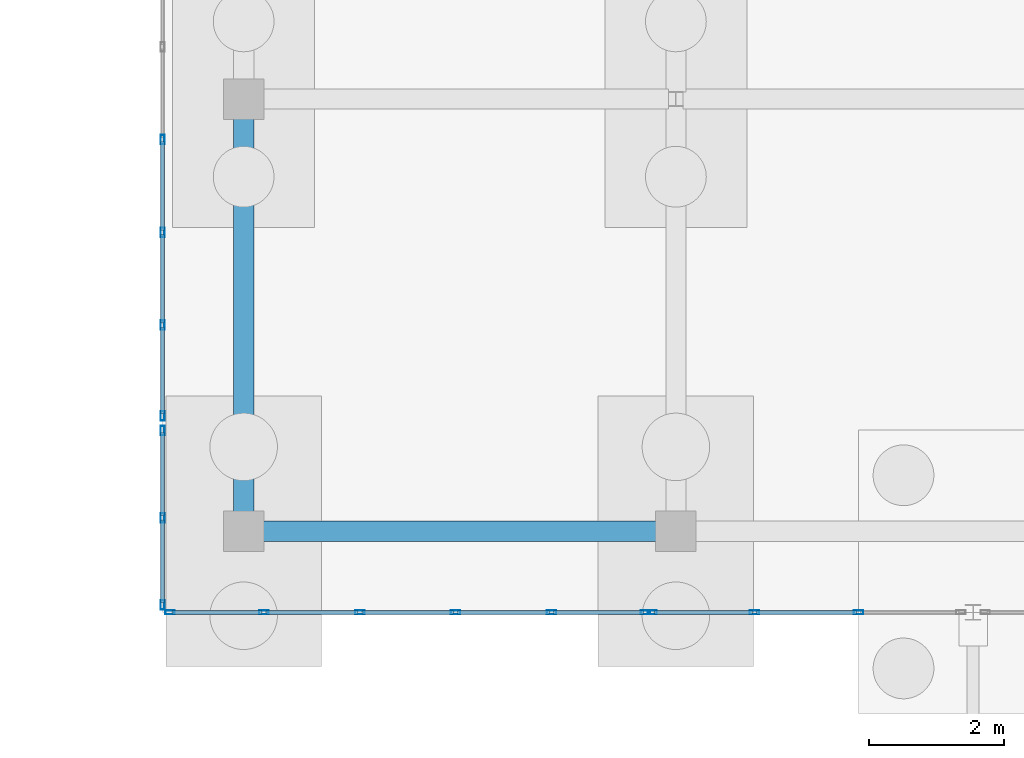
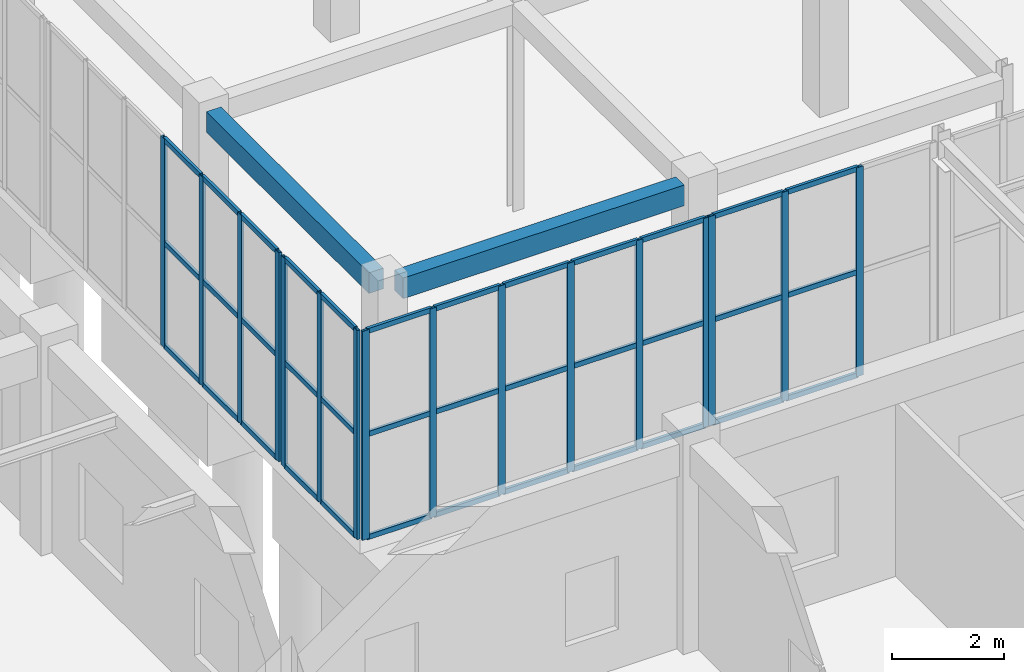
# One storey, part 50 of 192: 52 members, 2 beams, 4 elements without a shape of their own.
"""IFC4 building model written with IfcOpenShell, lengths in metres."""

from ifc_helpers import new_model, si_unit, direction, frame, origin, origin_2d, place, context, subcontext, project, spatial, rectangle, hollow_rectangle, extrude, material, layer, layer_set, material_profile, profile_set, type_object, element, aggregate, save


model = new_model("IFC4")

# Units and contexts
model_context = context("Model", 3, precision=1e-05, world=origin(), true_north=direction((0.0, 1.0)))
body_context = subcontext(model_context, "Body", "Model", "MODEL_VIEW")
ifc_project = project(units=[si_unit("LENGTHUNIT", "METRE"), si_unit("AREAUNIT", "SQUARE_METRE"), si_unit("VOLUMEUNIT", "CUBIC_METRE"), si_unit("PLANEANGLEUNIT", "RADIAN"), si_unit("MASSUNIT", "GRAM", prefix="KILO")], contexts=[model_context])

# Site, building, storey
site_placement = place(None, origin())
site = spatial("IfcSite", under=ifc_project, at=site_placement, CompositionType="ELEMENT")
building_placement = place(site_placement, origin())
building = spatial("IfcBuilding", under=site, at=building_placement, Name="Trelvath General Hospital", CompositionType="ELEMENT")
storey_placement = place(building_placement, origin())
storey = spatial("IfcBuildingStorey", under=building, at=storey_placement, Name="L00", CompositionType="ELEMENT", Elevation=0.0)

# Beams
ifc_material_1 = material(Name="Concrete C35/45", Category="concrete")
ifc_material_profile_1 = material_profile(ifc_material_1, rectangle(XDim=0.300048828125, YDim=0.449951171875, at=origin_2d()), Name="RCB300x450")
ifc_profile_set_1 = profile_set([ifc_material_profile_1], Name="Concrete C35/45")
beam_type = type_object("IfcBeamType", Name="Beam RC300x450", PredefinedType="BEAM", material=ifc_profile_set_1)
for number, where, z_axis, x_axis, name in (
    (1, (48.2958984375, 32.0, 4.3349609375), (1.0, 0.0, 0.0), (0.0, 1.0, 0.0), "Cube Interior Ring Beam CUBE-W-T0 L00"),
    (2, (48.0, 32.2958984375, 4.3349609375), (0.0, 1.0, 0.0), (-1.0, 0.0, 0.0), "Cube Interior Ring Beam CUBE-W-T0 L00"),
):
    element("IfcBeam", number, at=place(storey_placement, frame(where, z_axis=z_axis, x_axis=x_axis)), inside=storey, type_object=beam_type, Name=name, PredefinedType="BEAM", context=body_context, shape_type="SweptSolid", body=[
        extrude(rectangle(XDim=0.300048828125, YDim=0.449951171875, at=origin_2d()), origin(), (0.0, 0.0, 1.0), 5.80810546875),
    ])

# Curtain wall, members
ifc_material_2 = material(Name="Anodised aluminium and low-E glass", Category="aluminium")
ifc_layer_1 = layer(ifc_material_2, 0.139892578125)
ifc_layer_set_1 = layer_set([ifc_layer_1], Name="Anodised aluminium and low-E glass")
curtain_wall_type_1 = type_object("IfcCurtainWallType", Name="CW CrystalCube 710 456 14", PredefinedType="USERDEFINED", material=ifc_layer_set_1)
curtain_wall_1_placement = place(storey_placement, origin())
curtain_wall_1 = element("IfcCurtainWall", 3, at=curtain_wall_1_placement, inside=storey, type_object=curtain_wall_type_1, Name="Crystal Cube Curtain Wall CUBE-W-T0 S1 L00", ObjectType="Unitised Glazed Curtain Wall", PredefinedType="USERDEFINED")
ifc_material_3 = material(Name="Anodised aluminium", Category="aluminium")
ifc_material_profile_2 = material_profile(ifc_material_3, hollow_rectangle(XDim=0.06005859375, YDim=0.139892578125, WallThickness=0.00390625, at=origin_2d()), Name="RHS60x140x4")
ifc_profile_set_2 = profile_set([ifc_material_profile_2], Name="Anodised aluminium")
member_type_1 = type_object("IfcMemberType", Name="CurtainMullion 60x140", PredefinedType="MULLION", material=ifc_profile_set_2)
member_1_placement = place(storey_placement, frame((53.949951171875, 30.800048828125, 0.0), z_axis=(0.0, 0.0, 1.0), x_axis=(0.0, -1.0, 0.0)))
member_1 = element("IfcMember", 4, at=member_1_placement, type_object=member_type_1, Name="CW-084 mullion 1", PredefinedType="MULLION", context=body_context, shape_type="SweptSolid", body=[
    extrude(hollow_rectangle(XDim=0.06005859375, YDim=0.139892578125, WallThickness=0.00390625, at=origin_2d()), origin(), (0.0, 0.0, 1.0), 4.56005859375),
])
member_2_placement = place(storey_placement, frame((52.56005859375, 30.800048828125, 0.0), z_axis=(0.0, 0.0, 1.0), x_axis=(0.0, -1.0, 0.0)))
member_2 = element("IfcMember", 5, at=member_2_placement, type_object=member_type_1, Name="CW-084 mullion 2", PredefinedType="MULLION", context=body_context, shape_type="SweptSolid", body=[
    extrude(hollow_rectangle(XDim=0.06005859375, YDim=0.139892578125, WallThickness=0.00390625, at=origin_2d()), origin(), (0.0, 0.0, 1.0), 4.56005859375),
])
member_3_placement = place(storey_placement, frame((51.139892578125, 30.800048828125, 0.0), z_axis=(0.0, 0.0, 1.0), x_axis=(0.0, -1.0, 0.0)))
member_3 = element("IfcMember", 6, at=member_3_placement, type_object=member_type_1, Name="CW-084 mullion 3", PredefinedType="MULLION", context=body_context, shape_type="SweptSolid", body=[
    extrude(hollow_rectangle(XDim=0.06005859375, YDim=0.139892578125, WallThickness=0.00390625, at=origin_2d()), origin(), (0.0, 0.0, 1.0), 4.56005859375),
])
member_4_placement = place(storey_placement, frame((49.719970703125, 30.800048828125, 0.0), z_axis=(0.0, 0.0, 1.0), x_axis=(0.0, -1.0, 0.0)))
member_4 = element("IfcMember", 7, at=member_4_placement, type_object=member_type_1, Name="CW-084 mullion 4", PredefinedType="MULLION", context=body_context, shape_type="SweptSolid", body=[
    extrude(hollow_rectangle(XDim=0.06005859375, YDim=0.139892578125, WallThickness=0.00390625, at=origin_2d()), origin(), (0.0, 0.0, 1.0), 4.56005859375),
])
member_5_placement = place(storey_placement, frame((48.300048828125, 30.800048828125, 0.0), z_axis=(0.0, 0.0, 1.0), x_axis=(0.0, -1.0, 0.0)))
member_5 = element("IfcMember", 8, at=member_5_placement, type_object=member_type_1, Name="CW-084 mullion 5", PredefinedType="MULLION", context=body_context, shape_type="SweptSolid", body=[
    extrude(hollow_rectangle(XDim=0.06005859375, YDim=0.139892578125, WallThickness=0.00390625, at=origin_2d()), origin(), (0.0, 0.0, 1.0), 4.56005859375),
])
member_6_placement = place(storey_placement, frame((46.909912109375, 30.800048828125, 0.0), z_axis=(0.0, 0.0, 1.0), x_axis=(0.0, -1.0, 0.0)))
member_6 = element("IfcMember", 9, at=member_6_placement, type_object=member_type_1, Name="CW-084 mullion 6", PredefinedType="MULLION", context=body_context, shape_type="SweptSolid", body=[
    extrude(hollow_rectangle(XDim=0.06005859375, YDim=0.139892578125, WallThickness=0.00390625, at=origin_2d()), origin(), (0.0, 0.0, 1.0), 4.56005859375),
])

ifc_material_4 = material(Name="Anodised aluminium and low-E glass", Category="aluminium")
ifc_layer_2 = layer(ifc_material_4, 0.139892578125)
ifc_layer_set_2 = layer_set([ifc_layer_2], Name="Anodised aluminium and low-E glass")
curtain_wall_type_2 = type_object("IfcCurtainWallType", Name="CW CrystalCube 463 456 14", PredefinedType="USERDEFINED", material=ifc_layer_set_2)
curtain_wall_2_placement = place(storey_placement, origin())
curtain_wall_2 = element("IfcCurtainWall", 10, at=curtain_wall_2_placement, inside=storey, type_object=curtain_wall_type_2, Name="Crystal Cube Curtain Wall CUBE-W-T0 S2 L00", ObjectType="Unitised Glazed Curtain Wall", PredefinedType="USERDEFINED")
member_7_placement = place(storey_placement, frame((57.106689453125, 30.800048828125, 0.0), z_axis=(0.0, 0.0, 1.0), x_axis=(0.0, -1.0, 0.0)))
member_7 = element("IfcMember", 11, at=member_7_placement, type_object=member_type_1, Name="CW-085 mullion 2", PredefinedType="MULLION", context=body_context, shape_type="SweptSolid", body=[
    extrude(hollow_rectangle(XDim=0.06005859375, YDim=0.139892578125, WallThickness=0.00390625, at=origin_2d()), origin(), (0.0, 0.0, 1.0), 4.56005859375),
])
member_8_placement = place(storey_placement, frame((55.563232421875, 30.800048828125, 0.0), z_axis=(0.0, 0.0, 1.0), x_axis=(0.0, -1.0, 0.0)))
member_8 = element("IfcMember", 12, at=member_8_placement, type_object=member_type_1, Name="CW-085 mullion 3", PredefinedType="MULLION", context=body_context, shape_type="SweptSolid", body=[
    extrude(hollow_rectangle(XDim=0.06005859375, YDim=0.139892578125, WallThickness=0.00390625, at=origin_2d()), origin(), (0.0, 0.0, 1.0), 4.56005859375),
])
member_9_placement = place(storey_placement, frame((54.050048828125, 30.800048828125, 0.0), z_axis=(0.0, 0.0, 1.0), x_axis=(0.0, -1.0, 0.0)))
member_9 = element("IfcMember", 13, at=member_9_placement, type_object=member_type_1, Name="CW-085 mullion 4", PredefinedType="MULLION", context=body_context, shape_type="SweptSolid", body=[
    extrude(hollow_rectangle(XDim=0.06005859375, YDim=0.139892578125, WallThickness=0.00390625, at=origin_2d()), origin(), (0.0, 0.0, 1.0), 4.56005859375),
])

ifc_material_5 = material(Name="Anodised aluminium and low-E glass", Category="aluminium")
ifc_layer_3 = layer(ifc_material_5, 0.139892578125)
ifc_layer_set_3 = layer_set([ifc_layer_3], Name="Anodised aluminium and low-E glass")
curtain_wall_type_3 = type_object("IfcCurtainWallType", Name="CW CrystalCube 264 456 14", PredefinedType="USERDEFINED", material=ifc_layer_set_3)
curtain_wall_3_placement = place(storey_placement, origin())
curtain_wall_3 = element("IfcCurtainWall", 14, at=curtain_wall_3_placement, inside=storey, type_object=curtain_wall_type_3, Name="Crystal Cube Curtain Wall CUBE-W-T0 W1 L00", ObjectType="Unitised Glazed Curtain Wall", PredefinedType="USERDEFINED")
member_10_placement = place(storey_placement, frame((46.800048828125, 30.909912109375, 0.0), z_axis=(0.0, 0.0, 1.0), x_axis=(-1.0, 0.0, 0.0)))
member_10 = element("IfcMember", 15, at=member_10_placement, type_object=member_type_1, Name="CW-094 mullion 1", PredefinedType="MULLION", context=body_context, shape_type="SweptSolid", body=[
    extrude(hollow_rectangle(XDim=0.06005859375, YDim=0.139892578125, WallThickness=0.00390625, at=origin_2d()), origin(), (0.0, 0.0, 1.0), 4.56005859375),
])
member_11_placement = place(storey_placement, frame((46.800048828125, 32.199951171875, 0.0), z_axis=(0.0, 0.0, 1.0), x_axis=(-1.0, 0.0, 0.0)))
member_11 = element("IfcMember", 16, at=member_11_placement, type_object=member_type_1, Name="CW-094 mullion 2", PredefinedType="MULLION", context=body_context, shape_type="SweptSolid", body=[
    extrude(hollow_rectangle(XDim=0.06005859375, YDim=0.139892578125, WallThickness=0.00390625, at=origin_2d()), origin(), (0.0, 0.0, 1.0), 4.56005859375),
])
member_12_placement = place(storey_placement, frame((46.800048828125, 33.489990234375, 0.0), z_axis=(0.0, 0.0, 1.0), x_axis=(-1.0, 0.0, 0.0)))
member_12 = element("IfcMember", 17, at=member_12_placement, type_object=member_type_1, Name="CW-094 mullion 3", PredefinedType="MULLION", context=body_context, shape_type="SweptSolid", body=[
    extrude(hollow_rectangle(XDim=0.06005859375, YDim=0.139892578125, WallThickness=0.00390625, at=origin_2d()), origin(), (0.0, 0.0, 1.0), 4.56005859375),
])

ifc_material_6 = material(Name="Anodised aluminium and low-E glass", Category="aluminium")
ifc_layer_4 = layer(ifc_material_6, 0.139892578125)
ifc_layer_set_4 = layer_set([ifc_layer_4], Name="Anodised aluminium and low-E glass")
curtain_wall_type_4 = type_object("IfcCurtainWallType", Name="CW CrystalCube 824 456 14", PredefinedType="USERDEFINED", material=ifc_layer_set_4)
curtain_wall_4_placement = place(storey_placement, origin())
curtain_wall_4 = element("IfcCurtainWall", 18, at=curtain_wall_4_placement, inside=storey, type_object=curtain_wall_type_4, Name="Crystal Cube Curtain Wall CUBE-W-T0 W2 L00", ObjectType="Unitised Glazed Curtain Wall", PredefinedType="USERDEFINED")
member_13_placement = place(storey_placement, frame((46.800048828125, 33.7099609375, 0.0), z_axis=(0.0, 0.0, 1.0), x_axis=(-1.0, 0.0, 0.0)))
member_13 = element("IfcMember", 19, at=member_13_placement, type_object=member_type_1, Name="CW-096 mullion 1", PredefinedType="MULLION", context=body_context, shape_type="SweptSolid", body=[
    extrude(hollow_rectangle(XDim=0.06005859375, YDim=0.139892578125, WallThickness=0.00390625, at=origin_2d()), origin(), (0.0, 0.0, 1.0), 4.56005859375),
])
member_14_placement = place(storey_placement, frame((46.800048828125, 35.05322265625, 0.0), z_axis=(0.0, 0.0, 1.0), x_axis=(-1.0, 0.0, 0.0)))
member_14 = element("IfcMember", 20, at=member_14_placement, type_object=member_type_1, Name="CW-096 mullion 2", PredefinedType="MULLION", context=body_context, shape_type="SweptSolid", body=[
    extrude(hollow_rectangle(XDim=0.06005859375, YDim=0.139892578125, WallThickness=0.00390625, at=origin_2d()), origin(), (0.0, 0.0, 1.0), 4.56005859375),
])
member_15_placement = place(storey_placement, frame((46.800048828125, 36.4267578125, 0.0), z_axis=(0.0, 0.0, 1.0), x_axis=(-1.0, 0.0, 0.0)))
member_15 = element("IfcMember", 21, at=member_15_placement, type_object=member_type_1, Name="CW-096 mullion 3", PredefinedType="MULLION", context=body_context, shape_type="SweptSolid", body=[
    extrude(hollow_rectangle(XDim=0.06005859375, YDim=0.139892578125, WallThickness=0.00390625, at=origin_2d()), origin(), (0.0, 0.0, 1.0), 4.56005859375),
])
member_16_placement = place(storey_placement, frame((46.800048828125, 37.800048828125, 0.0), z_axis=(0.0, 0.0, 1.0), x_axis=(-1.0, 0.0, 0.0)))
member_16 = element("IfcMember", 22, at=member_16_placement, type_object=member_type_1, Name="CW-096 mullion 4", PredefinedType="MULLION", context=body_context, shape_type="SweptSolid", body=[
    extrude(hollow_rectangle(XDim=0.06005859375, YDim=0.139892578125, WallThickness=0.00390625, at=origin_2d()), origin(), (0.0, 0.0, 1.0), 4.56005859375),
])

# Member
ifc_material_7 = material(Name="Anodised aluminium", Category="aluminium")
ifc_material_profile_3 = material_profile(ifc_material_7, hollow_rectangle(XDim=0.06005859375, YDim=0.110107421875, WallThickness=0.00390625, at=origin_2d()), Name="RHS60x110x4")
ifc_profile_set_3 = profile_set([ifc_material_profile_3], Name="Anodised aluminium")
member_type_2 = type_object("IfcMemberType", Name="CurtainTransom 60x110", PredefinedType="USERDEFINED", material=ifc_profile_set_3)
member_17_placement = place(storey_placement, frame((53.919921875, 30.800048828125, 0.030029296875), z_axis=(-1.0, 0.0, 0.0), x_axis=(0.0, -1.0, 0.0)))
member_17 = element("IfcMember", 23, at=member_17_placement, type_object=member_type_2, Name="CW-084 transom 1.1", ObjectType="TRANSOM", PredefinedType="USERDEFINED", context=body_context, shape_type="SweptSolid", body=[
    extrude(hollow_rectangle(XDim=0.06005859375, YDim=0.110107421875, WallThickness=0.00390625, at=origin_2d()), origin(), (0.0, 0.0, 1.0), 1.329833984375),
])

member_18_placement = place(storey_placement, frame((53.919921875, 30.800048828125, 2.280029296875), z_axis=(-1.0, 0.0, 0.0), x_axis=(0.0, -1.0, 0.0)))
member_18 = element("IfcMember", 24, at=member_18_placement, type_object=member_type_2, Name="CW-084 transom 1.2", ObjectType="TRANSOM", PredefinedType="USERDEFINED", context=body_context, shape_type="SweptSolid", body=[
    extrude(hollow_rectangle(XDim=0.06005859375, YDim=0.110107421875, WallThickness=0.00390625, at=origin_2d()), origin(), (0.0, 0.0, 1.0), 1.329833984375),
])

member_19_placement = place(storey_placement, frame((53.919921875, 30.800048828125, 4.530029296875), z_axis=(-1.0, 0.0, 0.0), x_axis=(0.0, -1.0, 0.0)))
member_19 = element("IfcMember", 25, at=member_19_placement, type_object=member_type_2, Name="CW-084 transom 1.3", ObjectType="TRANSOM", PredefinedType="USERDEFINED", context=body_context, shape_type="SweptSolid", body=[
    extrude(hollow_rectangle(XDim=0.06005859375, YDim=0.110107421875, WallThickness=0.00390625, at=origin_2d()), origin(), (0.0, 0.0, 1.0), 1.329833984375),
])

member_20_placement = place(storey_placement, frame((52.530029296875, 30.800048828125, 0.030029296875), z_axis=(-1.0, 0.0, 0.0), x_axis=(0.0, -1.0, 0.0)))
member_20 = element("IfcMember", 26, at=member_20_placement, type_object=member_type_2, Name="CW-084 transom 2.1", ObjectType="TRANSOM", PredefinedType="USERDEFINED", context=body_context, shape_type="SweptSolid", body=[
    extrude(hollow_rectangle(XDim=0.06005859375, YDim=0.110107421875, WallThickness=0.00390625, at=origin_2d()), origin(), (0.0, 0.0, 1.0), 1.360107421875),
])

member_21_placement = place(storey_placement, frame((52.530029296875, 30.800048828125, 2.280029296875), z_axis=(-1.0, 0.0, 0.0), x_axis=(0.0, -1.0, 0.0)))
member_21 = element("IfcMember", 27, at=member_21_placement, type_object=member_type_2, Name="CW-084 transom 2.2", ObjectType="TRANSOM", PredefinedType="USERDEFINED", context=body_context, shape_type="SweptSolid", body=[
    extrude(hollow_rectangle(XDim=0.06005859375, YDim=0.110107421875, WallThickness=0.00390625, at=origin_2d()), origin(), (0.0, 0.0, 1.0), 1.360107421875),
])

member_22_placement = place(storey_placement, frame((52.530029296875, 30.800048828125, 4.530029296875), z_axis=(-1.0, 0.0, 0.0), x_axis=(0.0, -1.0, 0.0)))
member_22 = element("IfcMember", 28, at=member_22_placement, type_object=member_type_2, Name="CW-084 transom 2.3", ObjectType="TRANSOM", PredefinedType="USERDEFINED", context=body_context, shape_type="SweptSolid", body=[
    extrude(hollow_rectangle(XDim=0.06005859375, YDim=0.110107421875, WallThickness=0.00390625, at=origin_2d()), origin(), (0.0, 0.0, 1.0), 1.360107421875),
])

member_23_placement = place(storey_placement, frame((51.110107421875, 30.800048828125, 0.030029296875), z_axis=(-1.0, 0.0, 0.0), x_axis=(0.0, -1.0, 0.0)))
member_23 = element("IfcMember", 29, at=member_23_placement, type_object=member_type_2, Name="CW-084 transom 3.1", ObjectType="TRANSOM", PredefinedType="USERDEFINED", context=body_context, shape_type="SweptSolid", body=[
    extrude(hollow_rectangle(XDim=0.06005859375, YDim=0.110107421875, WallThickness=0.00390625, at=origin_2d()), origin(), (0.0, 0.0, 1.0), 1.360107421875),
])

member_24_placement = place(storey_placement, frame((51.110107421875, 30.800048828125, 2.280029296875), z_axis=(-1.0, 0.0, 0.0), x_axis=(0.0, -1.0, 0.0)))
member_24 = element("IfcMember", 30, at=member_24_placement, type_object=member_type_2, Name="CW-084 transom 3.2", ObjectType="TRANSOM", PredefinedType="USERDEFINED", context=body_context, shape_type="SweptSolid", body=[
    extrude(hollow_rectangle(XDim=0.06005859375, YDim=0.110107421875, WallThickness=0.00390625, at=origin_2d()), origin(), (0.0, 0.0, 1.0), 1.360107421875),
])

member_25_placement = place(storey_placement, frame((51.110107421875, 30.800048828125, 4.530029296875), z_axis=(-1.0, 0.0, 0.0), x_axis=(0.0, -1.0, 0.0)))
member_25 = element("IfcMember", 31, at=member_25_placement, type_object=member_type_2, Name="CW-084 transom 3.3", ObjectType="TRANSOM", PredefinedType="USERDEFINED", context=body_context, shape_type="SweptSolid", body=[
    extrude(hollow_rectangle(XDim=0.06005859375, YDim=0.110107421875, WallThickness=0.00390625, at=origin_2d()), origin(), (0.0, 0.0, 1.0), 1.360107421875),
])

member_26_placement = place(storey_placement, frame((49.68994140625, 30.800048828125, 0.030029296875), z_axis=(-1.0, 0.0, 0.0), x_axis=(0.0, -1.0, 0.0)))
member_26 = element("IfcMember", 32, at=member_26_placement, type_object=member_type_2, Name="CW-084 transom 4.1", ObjectType="TRANSOM", PredefinedType="USERDEFINED", context=body_context, shape_type="SweptSolid", body=[
    extrude(hollow_rectangle(XDim=0.06005859375, YDim=0.110107421875, WallThickness=0.00390625, at=origin_2d()), origin(), (0.0, 0.0, 1.0), 1.35986328125),
])

member_27_placement = place(storey_placement, frame((49.68994140625, 30.800048828125, 2.280029296875), z_axis=(-1.0, 0.0, 0.0), x_axis=(0.0, -1.0, 0.0)))
member_27 = element("IfcMember", 33, at=member_27_placement, type_object=member_type_2, Name="CW-084 transom 4.2", ObjectType="TRANSOM", PredefinedType="USERDEFINED", context=body_context, shape_type="SweptSolid", body=[
    extrude(hollow_rectangle(XDim=0.06005859375, YDim=0.110107421875, WallThickness=0.00390625, at=origin_2d()), origin(), (0.0, 0.0, 1.0), 1.35986328125),
])

member_28_placement = place(storey_placement, frame((49.68994140625, 30.800048828125, 4.530029296875), z_axis=(-1.0, 0.0, 0.0), x_axis=(0.0, -1.0, 0.0)))
member_28 = element("IfcMember", 34, at=member_28_placement, type_object=member_type_2, Name="CW-084 transom 4.3", ObjectType="TRANSOM", PredefinedType="USERDEFINED", context=body_context, shape_type="SweptSolid", body=[
    extrude(hollow_rectangle(XDim=0.06005859375, YDim=0.110107421875, WallThickness=0.00390625, at=origin_2d()), origin(), (0.0, 0.0, 1.0), 1.35986328125),
])

member_29_placement = place(storey_placement, frame((48.27001953125, 30.800048828125, 0.030029296875), z_axis=(-1.0, 0.0, 0.0), x_axis=(0.0, -1.0, 0.0)))
member_29 = element("IfcMember", 35, at=member_29_placement, type_object=member_type_2, Name="CW-084 transom 5.1", ObjectType="TRANSOM", PredefinedType="USERDEFINED", context=body_context, shape_type="SweptSolid", body=[
    extrude(hollow_rectangle(XDim=0.06005859375, YDim=0.110107421875, WallThickness=0.00390625, at=origin_2d()), origin(), (0.0, 0.0, 1.0), 1.330078125),
])

member_30_placement = place(storey_placement, frame((48.27001953125, 30.800048828125, 2.280029296875), z_axis=(-1.0, 0.0, 0.0), x_axis=(0.0, -1.0, 0.0)))
member_30 = element("IfcMember", 36, at=member_30_placement, type_object=member_type_2, Name="CW-084 transom 5.2", ObjectType="TRANSOM", PredefinedType="USERDEFINED", context=body_context, shape_type="SweptSolid", body=[
    extrude(hollow_rectangle(XDim=0.06005859375, YDim=0.110107421875, WallThickness=0.00390625, at=origin_2d()), origin(), (0.0, 0.0, 1.0), 1.330078125),
])

member_31_placement = place(storey_placement, frame((48.27001953125, 30.800048828125, 4.530029296875), z_axis=(-1.0, 0.0, 0.0), x_axis=(0.0, -1.0, 0.0)))
member_31 = element("IfcMember", 37, at=member_31_placement, type_object=member_type_2, Name="CW-084 transom 5.3", ObjectType="TRANSOM", PredefinedType="USERDEFINED", context=body_context, shape_type="SweptSolid", body=[
    extrude(hollow_rectangle(XDim=0.06005859375, YDim=0.110107421875, WallThickness=0.00390625, at=origin_2d()), origin(), (0.0, 0.0, 1.0), 1.330078125),
])

aggregate(curtain_wall_1, [member_1, member_2, member_3, member_4, member_5, member_6, member_17, member_18, member_19, member_20, member_21, member_22, member_23, member_24, member_25, member_26, member_27, member_28, member_29, member_30, member_31])

member_32_placement = place(storey_placement, frame((57.07666015625, 30.800048828125, 0.030029296875), z_axis=(-1.0, 0.0, 0.0), x_axis=(0.0, -1.0, 0.0)))
member_32 = element("IfcMember", 38, at=member_32_placement, type_object=member_type_2, Name="CW-085 transom 2.1", ObjectType="TRANSOM", PredefinedType="USERDEFINED", context=body_context, shape_type="SweptSolid", body=[
    extrude(hollow_rectangle(XDim=0.06005859375, YDim=0.110107421875, WallThickness=0.00390625, at=origin_2d()), origin(), (0.0, 0.0, 1.0), 1.4833984375),
])

member_33_placement = place(storey_placement, frame((57.07666015625, 30.800048828125, 2.280029296875), z_axis=(-1.0, 0.0, 0.0), x_axis=(0.0, -1.0, 0.0)))
member_33 = element("IfcMember", 39, at=member_33_placement, type_object=member_type_2, Name="CW-085 transom 2.2", ObjectType="TRANSOM", PredefinedType="USERDEFINED", context=body_context, shape_type="SweptSolid", body=[
    extrude(hollow_rectangle(XDim=0.06005859375, YDim=0.110107421875, WallThickness=0.00390625, at=origin_2d()), origin(), (0.0, 0.0, 1.0), 1.4833984375),
])

member_34_placement = place(storey_placement, frame((57.07666015625, 30.800048828125, 4.530029296875), z_axis=(-1.0, 0.0, 0.0), x_axis=(0.0, -1.0, 0.0)))
member_34 = element("IfcMember", 40, at=member_34_placement, type_object=member_type_2, Name="CW-085 transom 2.3", ObjectType="TRANSOM", PredefinedType="USERDEFINED", context=body_context, shape_type="SweptSolid", body=[
    extrude(hollow_rectangle(XDim=0.06005859375, YDim=0.110107421875, WallThickness=0.00390625, at=origin_2d()), origin(), (0.0, 0.0, 1.0), 1.4833984375),
])

member_35_placement = place(storey_placement, frame((55.533447265625, 30.800048828125, 0.030029296875), z_axis=(-1.0, 0.0, 0.0), x_axis=(0.0, -1.0, 0.0)))
member_35 = element("IfcMember", 41, at=member_35_placement, type_object=member_type_2, Name="CW-085 transom 3.1", ObjectType="TRANSOM", PredefinedType="USERDEFINED", context=body_context, shape_type="SweptSolid", body=[
    extrude(hollow_rectangle(XDim=0.06005859375, YDim=0.110107421875, WallThickness=0.00390625, at=origin_2d()), origin(), (0.0, 0.0, 1.0), 1.453369140625),
])

member_36_placement = place(storey_placement, frame((55.533447265625, 30.800048828125, 2.280029296875), z_axis=(-1.0, 0.0, 0.0), x_axis=(0.0, -1.0, 0.0)))
member_36 = element("IfcMember", 42, at=member_36_placement, type_object=member_type_2, Name="CW-085 transom 3.2", ObjectType="TRANSOM", PredefinedType="USERDEFINED", context=body_context, shape_type="SweptSolid", body=[
    extrude(hollow_rectangle(XDim=0.06005859375, YDim=0.110107421875, WallThickness=0.00390625, at=origin_2d()), origin(), (0.0, 0.0, 1.0), 1.453369140625),
])

member_37_placement = place(storey_placement, frame((55.533447265625, 30.800048828125, 4.530029296875), z_axis=(-1.0, 0.0, 0.0), x_axis=(0.0, -1.0, 0.0)))
member_37 = element("IfcMember", 43, at=member_37_placement, type_object=member_type_2, Name="CW-085 transom 3.3", ObjectType="TRANSOM", PredefinedType="USERDEFINED", context=body_context, shape_type="SweptSolid", body=[
    extrude(hollow_rectangle(XDim=0.06005859375, YDim=0.110107421875, WallThickness=0.00390625, at=origin_2d()), origin(), (0.0, 0.0, 1.0), 1.453369140625),
])

aggregate(curtain_wall_2, [member_7, member_8, member_9, member_32, member_33, member_34, member_35, member_36, member_37])

member_38_placement = place(storey_placement, frame((46.800048828125, 30.93994140625, 0.030029296875), z_axis=(0.0, 1.0, 0.0), x_axis=(-1.0, 0.0, 0.0)))
member_38 = element("IfcMember", 44, at=member_38_placement, type_object=member_type_2, Name="CW-094 transom 1.1", ObjectType="TRANSOM", PredefinedType="USERDEFINED", context=body_context, shape_type="SweptSolid", body=[
    extrude(hollow_rectangle(XDim=0.06005859375, YDim=0.110107421875, WallThickness=0.00390625, at=origin_2d()), origin(), (0.0, 0.0, 1.0), 1.22998046875),
])

member_39_placement = place(storey_placement, frame((46.800048828125, 30.93994140625, 2.280029296875), z_axis=(0.0, 1.0, 0.0), x_axis=(-1.0, 0.0, 0.0)))
member_39 = element("IfcMember", 45, at=member_39_placement, type_object=member_type_2, Name="CW-094 transom 1.2", ObjectType="TRANSOM", PredefinedType="USERDEFINED", context=body_context, shape_type="SweptSolid", body=[
    extrude(hollow_rectangle(XDim=0.06005859375, YDim=0.110107421875, WallThickness=0.00390625, at=origin_2d()), origin(), (0.0, 0.0, 1.0), 1.22998046875),
])

member_40_placement = place(storey_placement, frame((46.800048828125, 30.93994140625, 4.530029296875), z_axis=(0.0, 1.0, 0.0), x_axis=(-1.0, 0.0, 0.0)))
member_40 = element("IfcMember", 46, at=member_40_placement, type_object=member_type_2, Name="CW-094 transom 1.3", ObjectType="TRANSOM", PredefinedType="USERDEFINED", context=body_context, shape_type="SweptSolid", body=[
    extrude(hollow_rectangle(XDim=0.06005859375, YDim=0.110107421875, WallThickness=0.00390625, at=origin_2d()), origin(), (0.0, 0.0, 1.0), 1.22998046875),
])

member_41_placement = place(storey_placement, frame((46.800048828125, 32.22998046875, 0.030029296875), z_axis=(0.0, 1.0, 0.0), x_axis=(-1.0, 0.0, 0.0)))
member_41 = element("IfcMember", 47, at=member_41_placement, type_object=member_type_2, Name="CW-094 transom 2.1", ObjectType="TRANSOM", PredefinedType="USERDEFINED", context=body_context, shape_type="SweptSolid", body=[
    extrude(hollow_rectangle(XDim=0.06005859375, YDim=0.110107421875, WallThickness=0.00390625, at=origin_2d()), origin(), (0.0, 0.0, 1.0), 1.22998046875),
])

member_42_placement = place(storey_placement, frame((46.800048828125, 32.22998046875, 2.280029296875), z_axis=(0.0, 1.0, 0.0), x_axis=(-1.0, 0.0, 0.0)))
member_42 = element("IfcMember", 48, at=member_42_placement, type_object=member_type_2, Name="CW-094 transom 2.2", ObjectType="TRANSOM", PredefinedType="USERDEFINED", context=body_context, shape_type="SweptSolid", body=[
    extrude(hollow_rectangle(XDim=0.06005859375, YDim=0.110107421875, WallThickness=0.00390625, at=origin_2d()), origin(), (0.0, 0.0, 1.0), 1.22998046875),
])

member_43_placement = place(storey_placement, frame((46.800048828125, 32.22998046875, 4.530029296875), z_axis=(0.0, 1.0, 0.0), x_axis=(-1.0, 0.0, 0.0)))
member_43 = element("IfcMember", 49, at=member_43_placement, type_object=member_type_2, Name="CW-094 transom 2.3", ObjectType="TRANSOM", PredefinedType="USERDEFINED", context=body_context, shape_type="SweptSolid", body=[
    extrude(hollow_rectangle(XDim=0.06005859375, YDim=0.110107421875, WallThickness=0.00390625, at=origin_2d()), origin(), (0.0, 0.0, 1.0), 1.22998046875),
])

aggregate(curtain_wall_3, [member_10, member_11, member_12, member_38, member_39, member_40, member_41, member_42, member_43])

member_44_placement = place(storey_placement, frame((46.800048828125, 33.739990234375, 0.030029296875), z_axis=(0.0, 1.0, 0.0), x_axis=(-1.0, 0.0, 0.0)))
member_44 = element("IfcMember", 50, at=member_44_placement, type_object=member_type_2, Name="CW-096 transom 1.1", ObjectType="TRANSOM", PredefinedType="USERDEFINED", context=body_context, shape_type="SweptSolid", body=[
    extrude(hollow_rectangle(XDim=0.06005859375, YDim=0.110107421875, WallThickness=0.00390625, at=origin_2d()), origin(), (0.0, 0.0, 1.0), 1.283447265625),
])

member_45_placement = place(storey_placement, frame((46.800048828125, 33.739990234375, 2.280029296875), z_axis=(0.0, 1.0, 0.0), x_axis=(-1.0, 0.0, 0.0)))
member_45 = element("IfcMember", 51, at=member_45_placement, type_object=member_type_2, Name="CW-096 transom 1.2", ObjectType="TRANSOM", PredefinedType="USERDEFINED", context=body_context, shape_type="SweptSolid", body=[
    extrude(hollow_rectangle(XDim=0.06005859375, YDim=0.110107421875, WallThickness=0.00390625, at=origin_2d()), origin(), (0.0, 0.0, 1.0), 1.283447265625),
])

member_46_placement = place(storey_placement, frame((46.800048828125, 33.739990234375, 4.530029296875), z_axis=(0.0, 1.0, 0.0), x_axis=(-1.0, 0.0, 0.0)))
member_46 = element("IfcMember", 52, at=member_46_placement, type_object=member_type_2, Name="CW-096 transom 1.3", ObjectType="TRANSOM", PredefinedType="USERDEFINED", context=body_context, shape_type="SweptSolid", body=[
    extrude(hollow_rectangle(XDim=0.06005859375, YDim=0.110107421875, WallThickness=0.00390625, at=origin_2d()), origin(), (0.0, 0.0, 1.0), 1.283447265625),
])

member_47_placement = place(storey_placement, frame((46.800048828125, 35.083251953125, 0.030029296875), z_axis=(0.0, 1.0, 0.0), x_axis=(-1.0, 0.0, 0.0)))
member_47 = element("IfcMember", 53, at=member_47_placement, type_object=member_type_2, Name="CW-096 transom 2.1", ObjectType="TRANSOM", PredefinedType="USERDEFINED", context=body_context, shape_type="SweptSolid", body=[
    extrude(hollow_rectangle(XDim=0.06005859375, YDim=0.110107421875, WallThickness=0.00390625, at=origin_2d()), origin(), (0.0, 0.0, 1.0), 1.3134765625),
])

member_48_placement = place(storey_placement, frame((46.800048828125, 35.083251953125, 2.280029296875), z_axis=(0.0, 1.0, 0.0), x_axis=(-1.0, 0.0, 0.0)))
member_48 = element("IfcMember", 54, at=member_48_placement, type_object=member_type_2, Name="CW-096 transom 2.2", ObjectType="TRANSOM", PredefinedType="USERDEFINED", context=body_context, shape_type="SweptSolid", body=[
    extrude(hollow_rectangle(XDim=0.06005859375, YDim=0.110107421875, WallThickness=0.00390625, at=origin_2d()), origin(), (0.0, 0.0, 1.0), 1.3134765625),
])

member_49_placement = place(storey_placement, frame((46.800048828125, 35.083251953125, 4.530029296875), z_axis=(0.0, 1.0, 0.0), x_axis=(-1.0, 0.0, 0.0)))
member_49 = element("IfcMember", 55, at=member_49_placement, type_object=member_type_2, Name="CW-096 transom 2.3", ObjectType="TRANSOM", PredefinedType="USERDEFINED", context=body_context, shape_type="SweptSolid", body=[
    extrude(hollow_rectangle(XDim=0.06005859375, YDim=0.110107421875, WallThickness=0.00390625, at=origin_2d()), origin(), (0.0, 0.0, 1.0), 1.3134765625),
])

member_50_placement = place(storey_placement, frame((46.800048828125, 36.456787109375, 0.030029296875), z_axis=(0.0, 1.0, 0.0), x_axis=(-1.0, 0.0, 0.0)))
member_50 = element("IfcMember", 56, at=member_50_placement, type_object=member_type_2, Name="CW-096 transom 3.1", ObjectType="TRANSOM", PredefinedType="USERDEFINED", context=body_context, shape_type="SweptSolid", body=[
    extrude(hollow_rectangle(XDim=0.06005859375, YDim=0.110107421875, WallThickness=0.00390625, at=origin_2d()), origin(), (0.0, 0.0, 1.0), 1.313232421875),
])

member_51_placement = place(storey_placement, frame((46.800048828125, 36.456787109375, 2.280029296875), z_axis=(0.0, 1.0, 0.0), x_axis=(-1.0, 0.0, 0.0)))
member_51 = element("IfcMember", 57, at=member_51_placement, type_object=member_type_2, Name="CW-096 transom 3.2", ObjectType="TRANSOM", PredefinedType="USERDEFINED", context=body_context, shape_type="SweptSolid", body=[
    extrude(hollow_rectangle(XDim=0.06005859375, YDim=0.110107421875, WallThickness=0.00390625, at=origin_2d()), origin(), (0.0, 0.0, 1.0), 1.313232421875),
])

member_52_placement = place(storey_placement, frame((46.800048828125, 36.456787109375, 4.530029296875), z_axis=(0.0, 1.0, 0.0), x_axis=(-1.0, 0.0, 0.0)))
member_52 = element("IfcMember", 58, at=member_52_placement, type_object=member_type_2, Name="CW-096 transom 3.3", ObjectType="TRANSOM", PredefinedType="USERDEFINED", context=body_context, shape_type="SweptSolid", body=[
    extrude(hollow_rectangle(XDim=0.06005859375, YDim=0.110107421875, WallThickness=0.00390625, at=origin_2d()), origin(), (0.0, 0.0, 1.0), 1.313232421875),
])

aggregate(curtain_wall_4, [member_13, member_14, member_15, member_16, member_44, member_45, member_46, member_47, member_48, member_49, member_50, member_51, member_52])

save(model, "model.ifc")
